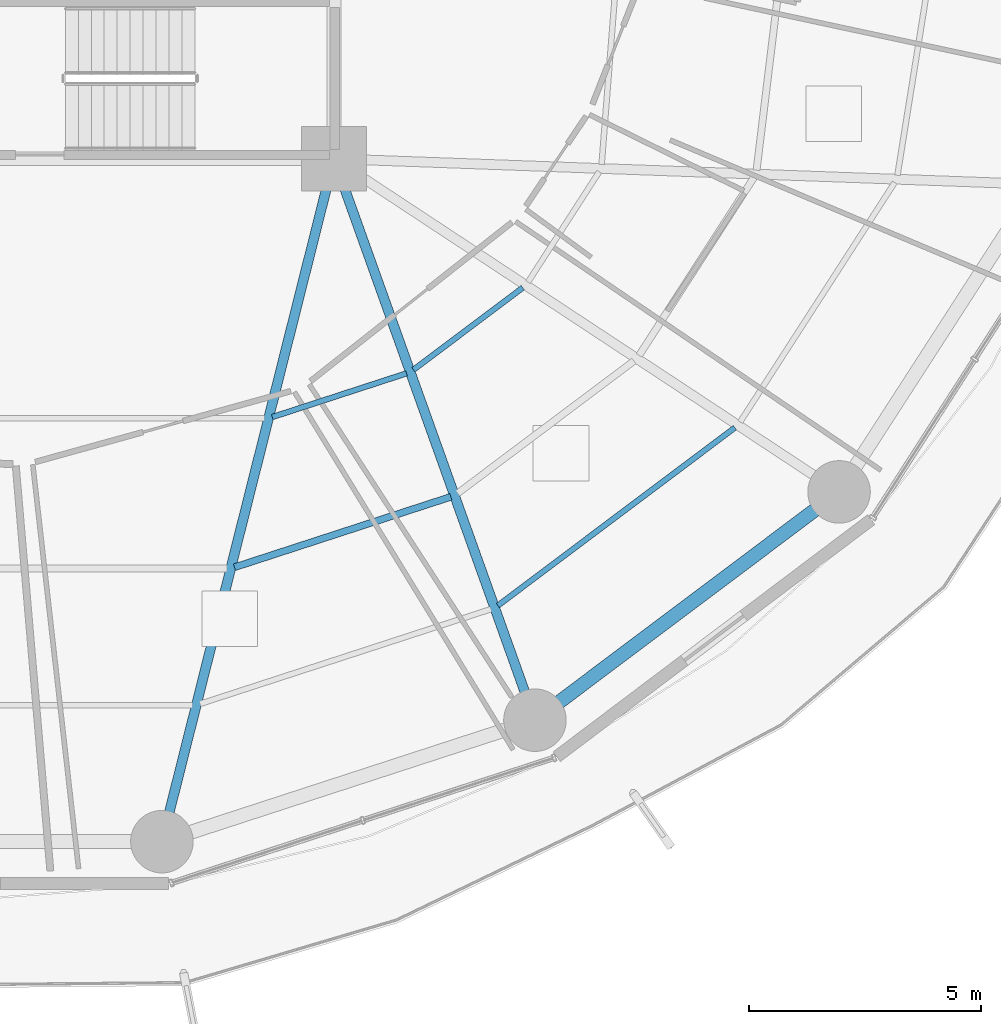
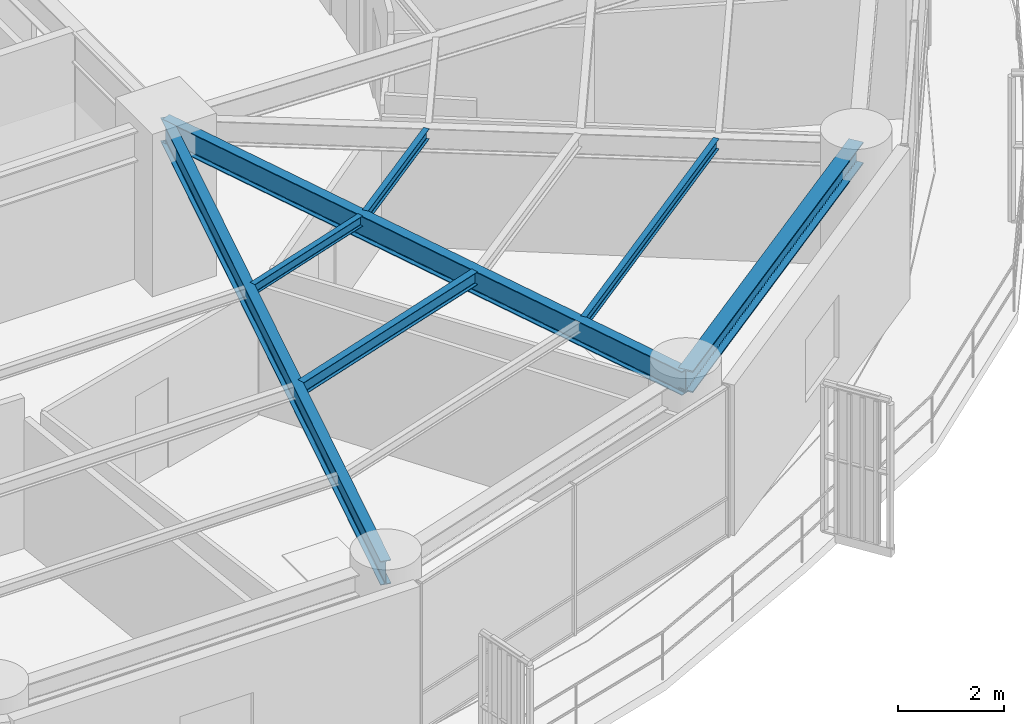
# One storey, part 9 of 33: 7 beams.
"""IFC4 building model written with IfcOpenShell, lengths in metres."""

from ifc_helpers import new_model, si_unit, direction, frame, origin, origin_2d, place, context, subcontext, project, spatial, i_section, extrude, material, material_profile, profile_set, type_object, element, save


model = new_model("IFC4")

# Units and contexts
model_context = context("Model", 3, precision=1e-05, world=origin(), true_north=direction((0.0, 1.0)))
body_context = subcontext(model_context, "Body", "Model", "MODEL_VIEW")
ifc_project = project(units=[si_unit("LENGTHUNIT", "METRE"), si_unit("AREAUNIT", "SQUARE_METRE"), si_unit("VOLUMEUNIT", "CUBIC_METRE"), si_unit("PLANEANGLEUNIT", "RADIAN"), si_unit("MASSUNIT", "GRAM", prefix="KILO")], contexts=[model_context])

# Site, building, storey
site_placement = place(None, origin())
site = spatial("IfcSite", under=ifc_project, at=site_placement, CompositionType="ELEMENT")
building_placement = place(site_placement, origin())
building = spatial("IfcBuilding", under=site, at=building_placement, Name="Kelanora Arch Commons", CompositionType="ELEMENT")
storey_placement = place(building_placement, frame((0.0, 0.0, 80.10009765625)))
storey = spatial("IfcBuildingStorey", under=building, at=storey_placement, Name="L20", CompositionType="ELEMENT", Elevation=80.10009765625)

# Beams
ifc_material = material(Name="Steel S355", Category="steel")
ifc_material_profile_1 = material_profile(ifc_material, i_section(OverallWidth=0.14990234375, OverallDepth=0.300048828125, WebThickness=0.007080078125, FlangeThickness=0.0107421875, FilletRadius=0.014892578125, at=origin_2d()), Name="IPE300")
ifc_profile_set_1 = profile_set([ifc_material_profile_1], Name="Steel S355")
beam_type_1 = type_object("IfcBeamType", Name="BM-JST-01", PredefinedType="JOIST", material=ifc_profile_set_1)
beam_1_placement = place(storey_placement, frame((79.852294921875, 42.1796875, 3.33984375), z_axis=(0.950857140254, 0.309629938521, 0.0), x_axis=(-0.309629938521, 0.950857140254, 0.0)))
element("IfcBeam", 1, at=beam_1_placement, inside=storey, type_object=beam_type_1, Name="Secondary Chord Joist BJB-28 L20", PredefinedType="JOIST", context=body_context, shape_type="SweptSolid", body=[
    extrude(i_section(OverallWidth=0.14990234375, OverallDepth=0.300048828125, WebThickness=0.007080078125, FlangeThickness=0.0107421875, FilletRadius=0.014892578125, at=origin_2d()), origin(), (0.0, 0.0, 1.0), 4.912353515625),
])
ifc_material_profile_2 = material_profile(ifc_material, i_section(OverallWidth=0.1201171875, OverallDepth=0.239990234375, WebThickness=0.006103515625, FlangeThickness=0.009765625, FilletRadius=0.014892578125, at=origin_2d()), Name="IPE240")
ifc_profile_set_2 = profile_set([ifc_material_profile_2], Name="Steel S355")
beam_type_2 = type_object("IfcBeamType", Name="BM-JST-02", PredefinedType="JOIST", material=ifc_profile_set_2)
beam_2_placement = place(storey_placement, frame((80.66943359375, 45.42333984375, 3.369873046875), z_axis=(0.950846758946, 0.309661817151, 0.0), x_axis=(-0.309661817151, 0.950846758946, 0.0)))
element("IfcBeam", 2, at=beam_2_placement, inside=storey, type_object=beam_type_2, Name="Secondary Chord Joist BJA-28 L20", PredefinedType="JOIST", context=body_context, shape_type="SweptSolid", body=[
    extrude(i_section(OverallWidth=0.1201171875, OverallDepth=0.239990234375, WebThickness=0.006103515625, FlangeThickness=0.009765625, FilletRadius=0.014892578125, at=origin_2d()), origin(), (0.0, 0.0, 1.0), 3.048828125),
])
beam_3_placement = place(storey_placement, frame((83.71728515625, 46.444580078125, 3.369873046875), z_axis=(0.799692034361, 0.600410401458, 0.0), x_axis=(-0.600410401458, 0.799692034361, 0.0)))
element("IfcBeam", 3, at=beam_3_placement, inside=storey, type_object=beam_type_2, Name="Secondary Chord Joist BJA-30 L20", PredefinedType="JOIST", context=body_context, shape_type="SweptSolid", body=[
    extrude(i_section(OverallWidth=0.1201171875, OverallDepth=0.239990234375, WebThickness=0.006103515625, FlangeThickness=0.009765625, FilletRadius=0.014892578125, at=origin_2d()), origin(), (0.0, 0.0, 1.0), 2.949951171875),
])
beam_4_placement = place(storey_placement, frame((85.5400390625, 41.353515625, 3.369873046875), z_axis=(0.799734335646, 0.600354055861, 0.0), x_axis=(-0.600354055861, 0.799734335646, 0.0)))
element("IfcBeam", 4, at=beam_4_placement, inside=storey, type_object=beam_type_2, Name="Secondary Chord Joist BJC-30 L20", PredefinedType="JOIST", context=body_context, shape_type="SweptSolid", body=[
    extrude(i_section(OverallWidth=0.1201171875, OverallDepth=0.239990234375, WebThickness=0.006103515625, FlangeThickness=0.009765625, FilletRadius=0.014892578125, at=origin_2d()), origin(), (0.0, 0.0, 1.0), 6.39794921875),
])
ifc_material_profile_3 = material_profile(ifc_material, i_section(OverallWidth=0.2099609375, OverallDepth=0.550048828125, WebThickness=0.010986328125, FlangeThickness=0.01708984375, FilletRadius=0.02392578125, at=origin_2d()), Name="IPE550")
ifc_profile_set_3 = profile_set([ifc_material_profile_3], Name="Steel S355")
beam_type_3 = type_object("IfcBeamType", Name="BM-RAD-Z2", PredefinedType="BEAM", material=ifc_profile_set_3)
beam_5_placement = place(storey_placement, frame((82.0, 51.0, 3.21484375), z_axis=(-0.244280647475, -0.969704576286, 0.0), x_axis=(0.969704576286, -0.244280647475, 0.0)))
element("IfcBeam", 5, at=beam_5_placement, inside=storey, type_object=beam_type_3, Name="Radial Floor Girder BR-28 L20", PredefinedType="BEAM", context=body_context, shape_type="SweptSolid", body=[
    extrude(i_section(OverallWidth=0.2099609375, OverallDepth=0.550048828125, WebThickness=0.010986328125, FlangeThickness=0.01708984375, FilletRadius=0.02392578125, at=origin_2d()), origin(), (0.0, 0.0, 1.0), 15.205322265625),
])
beam_6_placement = place(storey_placement, frame((82.0, 51.0, 3.21484375), z_axis=(0.337084640008, -0.941474346687, 0.0), x_axis=(0.941474346687, 0.337084640008, 0.0)))
element("IfcBeam", 6, at=beam_6_placement, inside=storey, type_object=beam_type_3, Name="Radial Floor Girder BR-30 L20", PredefinedType="BEAM", context=body_context, shape_type="SweptSolid", body=[
    extrude(i_section(OverallWidth=0.2099609375, OverallDepth=0.550048828125, WebThickness=0.010986328125, FlangeThickness=0.01708984375, FilletRadius=0.02392578125, at=origin_2d()), origin(), (0.0, 0.0, 1.0), 12.875244140625),
])
ifc_material_profile_4 = material_profile(ifc_material, i_section(OverallWidth=0.300048828125, OverallDepth=0.5, WebThickness=0.014404296875, FlangeThickness=0.028076171875, FilletRadius=0.027099609375, at=origin_2d()), Name="HEB500")
ifc_profile_set_4 = profile_set([ifc_material_profile_4], Name="Steel S355")
beam_type_4 = type_object("IfcBeamType", Name="BM-SPN-Z2", PredefinedType="SPANDREL", material=ifc_profile_set_4)
beam_7_placement = place(storey_placement, frame((86.340087890625, 38.878173828125, 3.239990234375), z_axis=(0.799735861602, 0.600352023123, 0.0), x_axis=(-0.600352023123, 0.799735861602, 0.0)))
element("IfcBeam", 7, at=beam_7_placement, inside=storey, type_object=beam_type_4, Name="Perimeter Spandrel Beam BS-30 L20", PredefinedType="SPANDREL", context=body_context, shape_type="SweptSolid", body=[
    extrude(i_section(OverallWidth=0.300048828125, OverallDepth=0.5, WebThickness=0.014404296875, FlangeThickness=0.028076171875, FilletRadius=0.027099609375, at=origin_2d()), origin(), (0.0, 0.0, 1.0), 8.210205078125),
])

save(model, "model.ifc")
